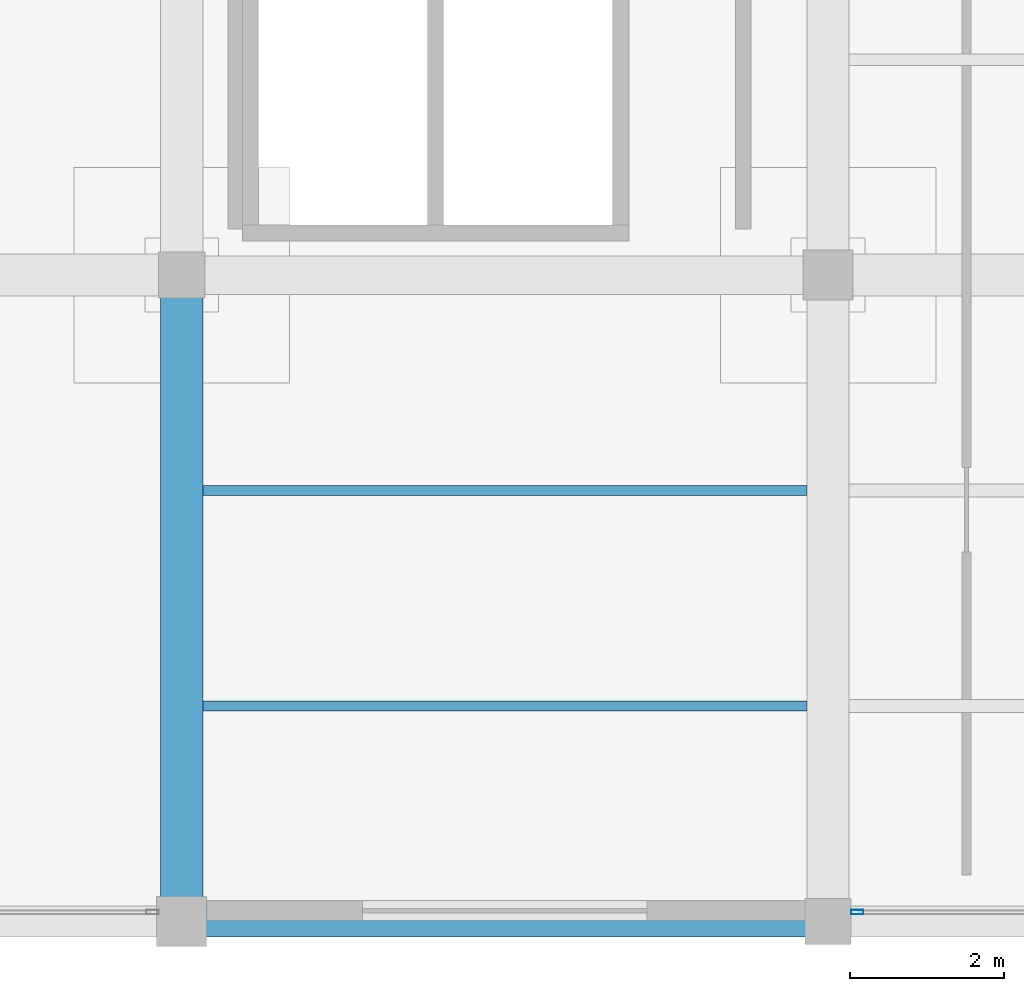
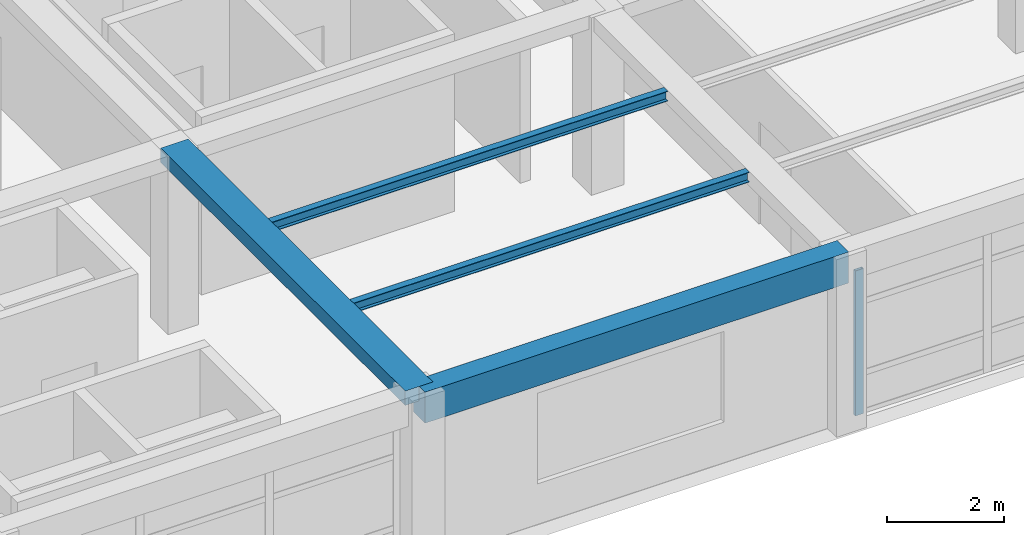
# One storey, part 6 of 26: 4 beams, 1 member, 1 element without a shape of its own.
"""IFC4 building model written with IfcOpenShell, lengths in metres."""

from ifc_helpers import new_model, si_unit, direction, frame, origin, origin_2d, place, context, subcontext, project, spatial, rectangle, hollow_rectangle, i_section, extrude, material, material_profile, profile_set, type_object, element, aggregate, save


model = new_model("IFC4")

# Units and contexts
model_context = context("Model", 3, precision=1e-05, world=origin(), true_north=direction((0.0, 1.0)))
body_context = subcontext(model_context, "Body", "Model", "MODEL_VIEW")
ifc_project = project(units=[si_unit("LENGTHUNIT", "METRE"), si_unit("AREAUNIT", "SQUARE_METRE"), si_unit("VOLUMEUNIT", "CUBIC_METRE"), si_unit("PLANEANGLEUNIT", "RADIAN"), si_unit("MASSUNIT", "GRAM", prefix="KILO")], contexts=[model_context])

# Site, building, storey
site_placement = place(None, origin())
site = spatial("IfcSite", under=ifc_project, at=site_placement, CompositionType="ELEMENT")
building_placement = place(site_placement, origin())
building = spatial("IfcBuilding", under=site, at=building_placement, Name="Almacenes y Pasaje Nevantli", CompositionType="ELEMENT")
storey_placement = place(building_placement, frame((0.0, 0.0, 46.699951171875)))
storey = spatial("IfcBuildingStorey", under=building, at=storey_placement, Name="L11", CompositionType="ELEMENT", Elevation=46.699951171875)

# Beams
ifc_material_1 = material(Name="Concrete C35/45", Category="concrete")
ifc_material_profile_1 = material_profile(ifc_material_1, rectangle(XDim=0.39990234375, YDim=0.64990234375, at=origin_2d()), Name="RC-BM-400x650")
ifc_profile_set_1 = profile_set([ifc_material_profile_1], Name="Concrete C35/45")
beam_type_1 = type_object("IfcBeamType", Name="BM-RC-400x650", PredefinedType="SPANDREL", material=ifc_profile_set_1)
beam_1_placement = place(storey_placement, frame((134.39990234375, 67.199951171875, 3.39501953125), z_axis=(1.0, 0.0, 0.0), x_axis=(0.0, 1.0, 0.0)))
element("IfcBeam", 1, at=beam_1_placement, inside=storey, type_object=beam_type_1, Name="L11 East-West Reinforced Concrete Beam #3846", PredefinedType="SPANDREL", context=body_context, shape_type="SweptSolid", body=[
    extrude(rectangle(XDim=0.39990234375, YDim=0.64990234375, at=origin_2d()), origin(), (0.0, 0.0, 1.0), 8.400146484375),
])
ifc_material_2 = material(Name="Concrete C35/45", Category="concrete")
ifc_material_profile_2 = material_profile(ifc_material_2, rectangle(XDim=0.550048828125, YDim=0.300048828125, at=origin_2d()), Name="RC-BM-550x300")
ifc_profile_set_2 = profile_set([ifc_material_profile_2], Name="Concrete C35/45")
beam_type_2 = type_object("IfcBeamType", Name="BM-RC-550x300", PredefinedType="BEAM", material=ifc_profile_set_2)
beam_2_placement = place(storey_placement, frame((134.39990234375, 67.199951171875, 3.570068359375), z_axis=(0.0, 1.0, 0.0), x_axis=(-1.0, 0.0, 0.0)))
element("IfcBeam", 2, at=beam_2_placement, inside=storey, type_object=beam_type_2, Name="L11 North-South Reinforced Concrete Beam #3876", PredefinedType="BEAM", context=body_context, shape_type="SweptSolid", body=[
    extrude(rectangle(XDim=0.550048828125, YDim=0.300048828125, at=origin_2d()), origin(), (0.0, 0.0, 1.0), 8.400146484375),
])
ifc_material_3 = material(Name="Steel ASTM A992", Category="steel")
ifc_material_profile_3 = material_profile(ifc_material_3, i_section(OverallWidth=0.134033203125, OverallDepth=0.2099609375, WebThickness=0.00634765625, FlangeThickness=0.01025390625, at=origin_2d()), Name="IR 203x31.3")
ifc_profile_set_3 = profile_set([ifc_material_profile_3], Name="Steel ASTM A992")
beam_type_3 = type_object("IfcBeamType", Name="BM-STL-IR-203x31p3", PredefinedType="JOIST", material=ifc_profile_set_3)
for number, where, z_axis, x_axis, name in (
    (3, (134.675048828125, 70.0, 3.60693359375), (1.0, 0.0, 0.0), (0.0, 1.0, 0.0), "L11 Secondary Steel Floor Joist #1521"),
    (4, (134.675048828125, 72.800048828125, 3.60693359375), (1.0, 0.0, 0.0), (0.0, 1.0, 0.0), "L11 Secondary Steel Floor Joist #1522"),
):
    element("IfcBeam", number, at=place(storey_placement, frame(where, z_axis=z_axis, x_axis=x_axis)), inside=storey, type_object=beam_type_3, Name=name, PredefinedType="JOIST", context=body_context, shape_type="SweptSolid", body=[
        extrude(i_section(OverallWidth=0.134033203125, OverallDepth=0.2099609375, WebThickness=0.00634765625, FlangeThickness=0.01025390625, at=origin_2d()), origin(), (0.0, 0.0, 1.0), 7.849853515625),
    ])

# Curtain wall, member
ifc_material_4 = material(Name="Thermally Broken Aluminium and Low-E Glass", Category="aluminium")
curtain_wall_type = type_object("IfcCurtainWallType", Name="CW-UNIT-TOWER", PredefinedType="USERDEFINED", material=ifc_material_4)
curtain_wall_placement = place(storey_placement, origin())
curtain_wall = element("IfcCurtainWall", 5, at=curtain_wall_placement, inside=storey, type_object=curtain_wall_type, Name="L11 Tower South Unitized Curtain Wall Bay 18", ObjectType="UNITIZED CURTAIN WALL", PredefinedType="USERDEFINED")
ifc_material_5 = material(Name="Thermally Broken Anodized Aluminium", Category="aluminium")
ifc_material_profile_4 = material_profile(ifc_material_5, hollow_rectangle(XDim=0.06005859375, YDim=0.159912109375, WallThickness=0.00390625, at=origin_2d()), Name="ALU-MUL-60x160")
ifc_profile_set_4 = profile_set([ifc_material_profile_4], Name="Thermally Broken Anodized Aluminium")
member_type = type_object("IfcMemberType", Name="CW-MUL-180", PredefinedType="MULLION", material=ifc_profile_set_4)
member_placement = place(storey_placement, frame((143.179931640625, 67.320068359375, 0.0), z_axis=(0.0, 0.0, 1.0), x_axis=(0.0, 1.0, 0.0)))
member = element("IfcMember", 6, at=member_placement, type_object=member_type, Name="CW-L11-153 mullion 1", PredefinedType="MULLION", context=body_context, shape_type="SweptSolid", body=[
    extrude(hollow_rectangle(XDim=0.06005859375, YDim=0.159912109375, WallThickness=0.00390625, at=origin_2d()), origin(), (0.0, 0.0, 1.0), 3.0400390625),
])
aggregate(curtain_wall, [member])

save(model, "model.ifc")
